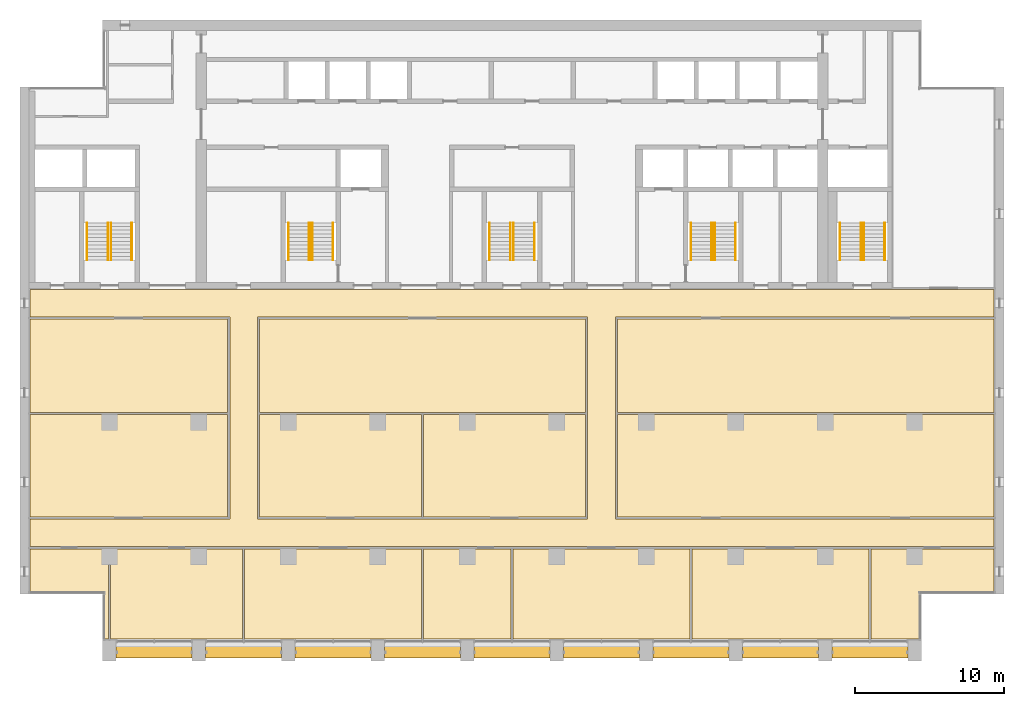
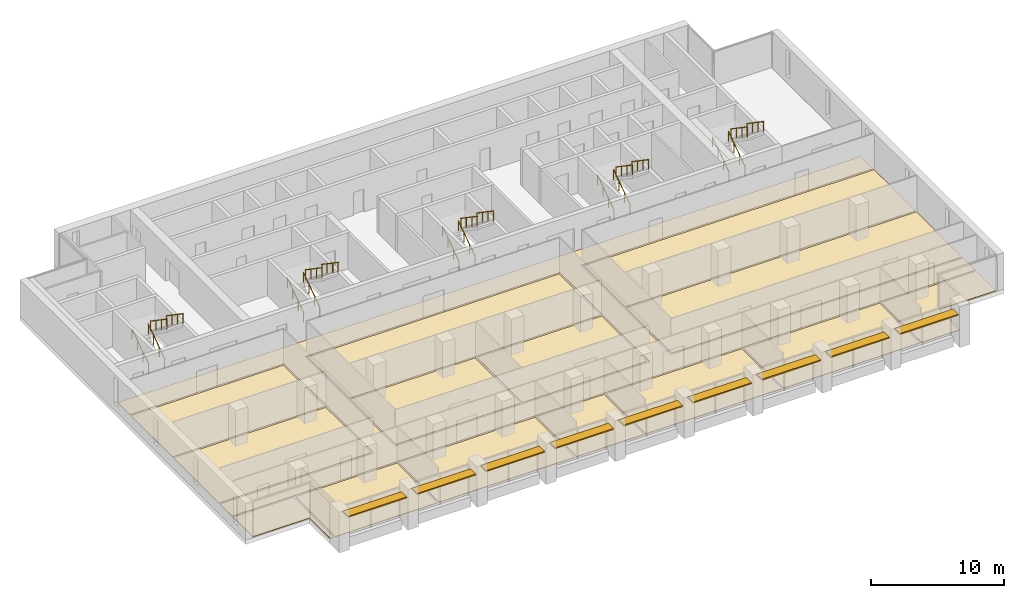
# One storey, part 16 of 17: 20 railings, 15 coverings, 9 shading devices, 5 elements without a shape of their own.
"""IFC4 building model written with IfcOpenShell, lengths in metres."""

from ifc_helpers import new_model, si_unit, direction, frame, origin, origin_2d, place, context, subcontext, project, spatial, polyline, rectangle, circle, outline, extrude, material, layer, layer_set, material_profile, profile_set, type_object, element, aggregate, save


model = new_model("IFC4")

# Units and contexts
model_context = context("Model", 3, precision=1e-05, world=origin(), true_north=direction((0.0, 1.0)))
body_context = subcontext(model_context, "Body", "Model", "MODEL_VIEW")
ifc_project = project(units=[si_unit("LENGTHUNIT", "METRE"), si_unit("AREAUNIT", "SQUARE_METRE"), si_unit("VOLUMEUNIT", "CUBIC_METRE"), si_unit("PLANEANGLEUNIT", "RADIAN"), si_unit("MASSUNIT", "GRAM", prefix="KILO")], contexts=[model_context])

# Site, building, storey
site_placement = place(None, origin())
site = spatial("IfcSite", under=ifc_project, at=site_placement, CompositionType="ELEMENT")
building_placement = place(site_placement, origin())
building = spatial("IfcBuilding", under=site, at=building_placement, Name="Calvaro Tower", CompositionType="ELEMENT")
storey_placement = place(building_placement, frame((0.0, 0.0, 193.0)))
storey = spatial("IfcBuildingStorey", under=building, at=storey_placement, Name="L48", CompositionType="ELEMENT", Elevation=193.0)

# Shading devices
ifc_material_1 = material(Name="Anodised aluminium", Category="aluminium")
ifc_material_profile = material_profile(ifc_material_1, rectangle(XDim=0.800048828125, YDim=0.10009765625, at=origin_2d()), Name="Brise-soleil blade 800 x 100")
ifc_profile_set = profile_set([ifc_material_profile], Name="Anodised aluminium")
shading_device_type = type_object("IfcShadingDeviceType", Name="Brise-soleil blade 800 x 100", PredefinedType="JALOUSIE", material=ifc_profile_set)
for number, where, z_axis, x_axis, name in (
    (1, (12.449951171875, 3.60009765625, 2.5), (1.0, 0.0, 0.0), (0.0, 1.0, 0.0), "Brise-soleil blade 1"),
    (2, (18.449951171875, 3.60009765625, 2.5), (1.0, 0.0, 0.0), (0.0, 1.0, 0.0), "Brise-soleil blade 2"),
    (3, (24.449951171875, 3.60009765625, 2.5), (1.0, 0.0, 0.0), (0.0, 1.0, 0.0), "Brise-soleil blade 3"),
    (4, (30.449951171875, 3.60009765625, 2.5), (1.0, 0.0, 0.0), (0.0, 1.0, 0.0), "Brise-soleil blade 4"),
    (5, (36.449951171875, 3.60009765625, 2.5), (1.0, 0.0, 0.0), (0.0, 1.0, 0.0), "Brise-soleil blade 5"),
    (6, (42.449951171875, 3.60009765625, 2.5), (1.0, 0.0, 0.0), (0.0, 1.0, 0.0), "Brise-soleil blade 6"),
    (7, (48.449951171875, 3.60009765625, 2.5), (1.0, 0.0, 0.0), (0.0, 1.0, 0.0), "Brise-soleil blade 7"),
    (8, (54.449951171875, 3.60009765625, 2.5), (1.0, 0.0, 0.0), (0.0, 1.0, 0.0), "Brise-soleil blade 8"),
    (9, (60.449951171875, 3.60009765625, 2.5), (1.0, 0.0, 0.0), (0.0, 1.0, 0.0), "Brise-soleil blade 9"),
):
    element("IfcShadingDevice", number, at=place(storey_placement, frame(where, z_axis=z_axis, x_axis=x_axis)), inside=storey, type_object=shading_device_type, Name=name, PredefinedType="JALOUSIE", context=body_context, shape_type="SweptSolid", body=[
        extrude(rectangle(XDim=0.800048828125, YDim=0.10009765625, at=origin_2d()), origin(), (0.0, 0.0, 1.0), 5.10009765625),
    ])

# Coverings
ifc_material_2 = material(Name="Cement screed with carpet tile finish")
ifc_layer = layer(ifc_material_2, 0.050048828125)
ifc_layer_set = layer_set([ifc_layer], Name="Cement screed with carpet tile finish")
covering_type = type_object("IfcCoveringType", Name="Floor finish 50", PredefinedType="FLOORING", material=ifc_layer_set)
covering_1_placement = place(storey_placement, origin())
element("IfcCovering", 10, at=covering_1_placement, inside=storey, type_object=covering_type, Name="Floor finish 28.01", PredefinedType="FLOORING", context=body_context, shape_type="SweptSolid", body=[
    extrude(outline(polyline([(6.669921875, 10.669921875), (6.669921875, 12.530029296875), (20.070068359375, 12.530029296875), (20.070068359375, 26.070068359375), (6.669921875, 26.070068359375), (6.669921875, 27.929931640625), (71.330078125, 27.929931640625), (71.330078125, 26.070068359375), (45.929931640625, 26.070068359375), (45.929931640625, 12.530029296875), (71.330078125, 12.530029296875), (71.330078125, 10.669921875), (6.669921875, 10.669921875)]), holes=[polyline([(44.070068359375, 12.530029296875), (44.070068359375, 26.070068359375), (21.929931640625, 26.070068359375), (21.929931640625, 12.530029296875), (44.070068359375, 12.530029296875)])]), origin(), (0.0, 0.0, 1.0), 0.050048828125),
])
covering_2_placement = place(storey_placement, origin())
element("IfcCovering", 11, at=covering_2_placement, inside=storey, type_object=covering_type, Name="Floor finish 28.08", PredefinedType="FLOORING", context=body_context, shape_type="SweptSolid", body=[
    extrude(outline(polyline([(11.929931640625, 10.530029296875), (11.929931640625, 4.469970703125), (11.6201171875, 4.469970703125), (11.6201171875, 7.570068359375), (6.669921875, 7.570068359375), (6.669921875, 10.530029296875), (11.929931640625, 10.530029296875)])), origin(), (0.0, 0.0, 1.0), 0.050048828125),
])
covering_3_placement = place(storey_placement, origin())
element("IfcCovering", 12, at=covering_3_placement, inside=storey, type_object=covering_type, Name="Floor finish 28.02", PredefinedType="FLOORING", context=body_context, shape_type="SweptSolid", body=[
    extrude(outline(polyline([(12.070068359375, 10.530029296875), (20.929931640625, 10.530029296875), (20.929931640625, 4.469970703125), (12.070068359375, 4.469970703125), (12.070068359375, 10.530029296875)])), origin(), (0.0, 0.0, 1.0), 0.050048828125),
])
covering_4_placement = place(storey_placement, origin())
element("IfcCovering", 13, at=covering_4_placement, inside=storey, type_object=covering_type, Name="Floor finish 28.03", PredefinedType="FLOORING", context=body_context, shape_type="SweptSolid", body=[
    extrude(outline(polyline([(21.070068359375, 10.530029296875), (32.929931640625, 10.530029296875), (32.929931640625, 4.469970703125), (21.070068359375, 4.469970703125), (21.070068359375, 10.530029296875)])), origin(), (0.0, 0.0, 1.0), 0.050048828125),
])
covering_5_placement = place(storey_placement, origin())
element("IfcCovering", 14, at=covering_5_placement, inside=storey, type_object=covering_type, Name="Floor finish 28.04", PredefinedType="FLOORING", context=body_context, shape_type="SweptSolid", body=[
    extrude(outline(polyline([(33.070068359375, 10.530029296875), (38.929931640625, 10.530029296875), (38.929931640625, 4.469970703125), (33.070068359375, 4.469970703125), (33.070068359375, 10.530029296875)])), origin(), (0.0, 0.0, 1.0), 0.050048828125),
])
covering_6_placement = place(storey_placement, origin())
element("IfcCovering", 15, at=covering_6_placement, inside=storey, type_object=covering_type, Name="Floor finish 28.05", PredefinedType="FLOORING", context=body_context, shape_type="SweptSolid", body=[
    extrude(outline(polyline([(39.070068359375, 10.530029296875), (50.929931640625, 10.530029296875), (50.929931640625, 4.469970703125), (39.070068359375, 4.469970703125), (39.070068359375, 10.530029296875)])), origin(), (0.0, 0.0, 1.0), 0.050048828125),
])
covering_7_placement = place(storey_placement, origin())
element("IfcCovering", 16, at=covering_7_placement, inside=storey, type_object=covering_type, Name="Floor finish 28.06", PredefinedType="FLOORING", context=body_context, shape_type="SweptSolid", body=[
    extrude(outline(polyline([(51.070068359375, 10.530029296875), (62.929931640625, 10.530029296875), (62.929931640625, 4.469970703125), (51.070068359375, 4.469970703125), (51.070068359375, 10.530029296875)])), origin(), (0.0, 0.0, 1.0), 0.050048828125),
])
covering_8_placement = place(storey_placement, origin())
element("IfcCovering", 17, at=covering_8_placement, inside=storey, type_object=covering_type, Name="Floor finish 28.07", PredefinedType="FLOORING", context=body_context, shape_type="SweptSolid", body=[
    extrude(outline(polyline([(71.330078125, 7.570068359375), (66.3798828125, 7.570068359375), (66.3798828125, 4.469970703125), (63.070068359375, 4.469970703125), (63.070068359375, 10.530029296875), (71.330078125, 10.530029296875), (71.330078125, 7.570068359375)])), origin(), (0.0, 0.0, 1.0), 0.050048828125),
])
covering_9_placement = place(storey_placement, origin())
element("IfcCovering", 18, at=covering_9_placement, inside=storey, type_object=covering_type, Name="Floor finish 28.09", PredefinedType="FLOORING", context=body_context, shape_type="SweptSolid", body=[
    extrude(outline(polyline([(19.929931640625, 19.530029296875), (19.929931640625, 12.669921875), (6.669921875, 12.669921875), (6.669921875, 19.530029296875), (19.929931640625, 19.530029296875)])), origin(), (0.0, 0.0, 1.0), 0.050048828125),
])
covering_10_placement = place(storey_placement, origin())
element("IfcCovering", 19, at=covering_10_placement, inside=storey, type_object=covering_type, Name="Floor finish 28.13", PredefinedType="FLOORING", context=body_context, shape_type="SweptSolid", body=[
    extrude(outline(polyline([(19.929931640625, 25.929931640625), (19.929931640625, 19.669921875), (6.669921875, 19.669921875), (6.669921875, 25.929931640625), (19.929931640625, 25.929931640625)])), origin(), (0.0, 0.0, 1.0), 0.050048828125),
])
covering_11_placement = place(storey_placement, origin())
element("IfcCovering", 20, at=covering_11_placement, inside=storey, type_object=covering_type, Name="Floor finish 28.10", PredefinedType="FLOORING", context=body_context, shape_type="SweptSolid", body=[
    extrude(outline(polyline([(22.070068359375, 12.669921875), (22.070068359375, 19.530029296875), (32.929931640625, 19.530029296875), (32.929931640625, 12.669921875), (22.070068359375, 12.669921875)])), origin(), (0.0, 0.0, 1.0), 0.050048828125),
])
covering_12_placement = place(storey_placement, origin())
element("IfcCovering", 21, at=covering_12_placement, inside=storey, type_object=covering_type, Name="Floor finish 28.11", PredefinedType="FLOORING", context=body_context, shape_type="SweptSolid", body=[
    extrude(outline(polyline([(33.070068359375, 12.669921875), (33.070068359375, 19.530029296875), (43.929931640625, 19.530029296875), (43.929931640625, 12.669921875), (33.070068359375, 12.669921875)])), origin(), (0.0, 0.0, 1.0), 0.050048828125),
])
covering_13_placement = place(storey_placement, origin())
element("IfcCovering", 22, at=covering_13_placement, inside=storey, type_object=covering_type, Name="Floor finish 28.14", PredefinedType="FLOORING", context=body_context, shape_type="SweptSolid", body=[
    extrude(outline(polyline([(22.070068359375, 19.669921875), (22.070068359375, 25.929931640625), (43.929931640625, 25.929931640625), (43.929931640625, 19.669921875), (22.070068359375, 19.669921875)])), origin(), (0.0, 0.0, 1.0), 0.050048828125),
])
covering_14_placement = place(storey_placement, origin())
element("IfcCovering", 23, at=covering_14_placement, inside=storey, type_object=covering_type, Name="Floor finish 28.12", PredefinedType="FLOORING", context=body_context, shape_type="SweptSolid", body=[
    extrude(outline(polyline([(71.330078125, 12.669921875), (46.070068359375, 12.669921875), (46.070068359375, 19.530029296875), (71.330078125, 19.530029296875), (71.330078125, 12.669921875)])), origin(), (0.0, 0.0, 1.0), 0.050048828125),
])
covering_15_placement = place(storey_placement, origin())
element("IfcCovering", 24, at=covering_15_placement, inside=storey, type_object=covering_type, Name="Floor finish 28.15", PredefinedType="FLOORING", context=body_context, shape_type="SweptSolid", body=[
    extrude(outline(polyline([(71.330078125, 19.669921875), (46.070068359375, 19.669921875), (46.070068359375, 25.929931640625), (71.330078125, 25.929931640625), (71.330078125, 19.669921875)])), origin(), (0.0, 0.0, 1.0), 0.050048828125),
])

# Stair, railings
ifc_material_3 = material(Name="Concrete C40/50", Category="concrete")
stair_type = type_object("IfcStairType", Name="Exit stair 1400 2 flights", PredefinedType="HALF_TURN_STAIR", material=ifc_material_3)
stair_1_placement = place(storey_placement, origin())
stair_1 = element("IfcStair", 25, at=stair_1_placement, inside=storey, type_object=stair_type, Name="Exit stair S1", PredefinedType="HALF_TURN_STAIR")
ifc_material_4 = material(Name="Stainless steel", Category="steel")
railing_type = type_object("IfcRailingType", Name="Stair handrail", PredefinedType="HANDRAIL", material=ifc_material_4)
railing_1_placement = place(storey_placement, frame((11.89990234375, 29.89990234375, 0.17041015625)))
railing_1 = element("IfcRailing", 26, at=railing_1_placement, type_object=railing_type, Name="Exit stair 1 handrail", PredefinedType="HANDRAIL", context=body_context, shape_type="SweptSolid", body=[
    extrude(circle(Radius=0.02392578125, at=origin_2d()), frame((0.0, 0.0, 0.8759765625), z_axis=(0.0, 0.826220514629, 0.563346839174), x_axis=(-1.0, 0.0, 0.0)), (0.0, 0.0, 1.0), 3.02587890625),
    extrude(circle(Radius=0.02099609375, at=origin_2d()), frame((0.0, 0.017333984375, 0.01171875)), (0.0, 0.0, 1.0), 0.851806640625),
    extrude(circle(Radius=0.02099609375, at=origin_2d()), frame((0.0, 0.833251953125, 0.568115234375)), (0.0, 0.0, 1.0), 0.851806640625),
    extrude(circle(Radius=0.02099609375, at=origin_2d()), frame((0.0, 1.666748046875, 1.136474609375)), (0.0, 0.0, 1.0), 0.851806640625),
    extrude(circle(Radius=0.02099609375, at=origin_2d()), frame((0.0, 2.482666015625, 1.69287109375)), (0.0, 0.0, 1.0), 0.851806640625),
])
railing_2_placement = place(storey_placement, frame((10.5, 29.89990234375, 0.17041015625)))
railing_2 = element("IfcRailing", 27, at=railing_2_placement, type_object=railing_type, Name="Exit stair 1 handrail", PredefinedType="HANDRAIL", context=body_context, shape_type="SweptSolid", body=[
    extrude(circle(Radius=0.02392578125, at=origin_2d()), frame((0.0, 0.0, 0.8759765625), z_axis=(0.0, 0.826220514629, 0.563346839174), x_axis=(-1.0, 0.0, 0.0)), (0.0, 0.0, 1.0), 3.02587890625),
    extrude(circle(Radius=0.02099609375, at=origin_2d()), frame((0.0, 0.017333984375, 0.01171875)), (0.0, 0.0, 1.0), 0.851806640625),
    extrude(circle(Radius=0.02099609375, at=origin_2d()), frame((0.0, 0.833251953125, 0.568115234375)), (0.0, 0.0, 1.0), 0.851806640625),
    extrude(circle(Radius=0.02099609375, at=origin_2d()), frame((0.0, 1.666748046875, 1.136474609375)), (0.0, 0.0, 1.0), 0.851806640625),
    extrude(circle(Radius=0.02099609375, at=origin_2d()), frame((0.0, 2.482666015625, 1.69287109375)), (0.0, 0.0, 1.0), 0.851806640625),
])
railing_3_placement = place(storey_placement, frame((12.10009765625, 32.39990234375, 2.04541015625)))
railing_3 = element("IfcRailing", 28, at=railing_3_placement, type_object=railing_type, Name="Exit stair 1 handrail", PredefinedType="HANDRAIL", context=body_context, shape_type="SweptSolid", body=[
    extrude(circle(Radius=0.02392578125, at=origin_2d()), frame((0.0, 0.0, 0.8759765625), z_axis=(0.0, -0.826220514629, 0.563346839174), x_axis=(1.0, 0.0, 0.0)), (0.0, 0.0, 1.0), 3.02587890625),
    extrude(circle(Radius=0.02099609375, at=origin_2d()), frame((0.0, -0.017333984375, 0.01171875)), (0.0, 0.0, 1.0), 0.851806640625),
    extrude(circle(Radius=0.02099609375, at=origin_2d()), frame((0.0, -0.833251953125, 0.568115234375)), (0.0, 0.0, 1.0), 0.851806640625),
    extrude(circle(Radius=0.02099609375, at=origin_2d()), frame((0.0, -1.666748046875, 1.136474609375)), (0.0, 0.0, 1.0), 0.851806640625),
    extrude(circle(Radius=0.02099609375, at=origin_2d()), frame((0.0, -2.482666015625, 1.69287109375)), (0.0, 0.0, 1.0), 0.851806640625),
])
railing_4_placement = place(storey_placement, frame((13.5, 32.39990234375, 2.04541015625)))
railing_4 = element("IfcRailing", 29, at=railing_4_placement, type_object=railing_type, Name="Exit stair 1 handrail", PredefinedType="HANDRAIL", context=body_context, shape_type="SweptSolid", body=[
    extrude(circle(Radius=0.02392578125, at=origin_2d()), frame((0.0, 0.0, 0.8759765625), z_axis=(0.0, -0.826220514629, 0.563346839174), x_axis=(1.0, 0.0, 0.0)), (0.0, 0.0, 1.0), 3.02587890625),
    extrude(circle(Radius=0.02099609375, at=origin_2d()), frame((0.0, -0.017333984375, 0.01171875)), (0.0, 0.0, 1.0), 0.851806640625),
    extrude(circle(Radius=0.02099609375, at=origin_2d()), frame((0.0, -0.833251953125, 0.568115234375)), (0.0, 0.0, 1.0), 0.851806640625),
    extrude(circle(Radius=0.02099609375, at=origin_2d()), frame((0.0, -1.666748046875, 1.136474609375)), (0.0, 0.0, 1.0), 0.851806640625),
    extrude(circle(Radius=0.02099609375, at=origin_2d()), frame((0.0, -2.482666015625, 1.69287109375)), (0.0, 0.0, 1.0), 0.851806640625),
])
aggregate(stair_1, [railing_1, railing_2, railing_3, railing_4])

stair_2_placement = place(storey_placement, origin())
stair_2 = element("IfcStair", 30, at=stair_2_placement, inside=storey, type_object=stair_type, Name="Exit stair S2", PredefinedType="HALF_TURN_STAIR")
railing_5_placement = place(storey_placement, frame((25.39990234375, 29.89990234375, 0.17041015625)))
railing_5 = element("IfcRailing", 31, at=railing_5_placement, type_object=railing_type, Name="Exit stair 2 handrail", PredefinedType="HANDRAIL", context=body_context, shape_type="SweptSolid", body=[
    extrude(circle(Radius=0.02392578125, at=origin_2d()), frame((0.0, 0.0, 0.8759765625), z_axis=(0.0, 0.826220514629, 0.563346839174), x_axis=(-1.0, 0.0, 0.0)), (0.0, 0.0, 1.0), 3.02587890625),
    extrude(circle(Radius=0.02099609375, at=origin_2d()), frame((0.0, 0.017333984375, 0.01171875)), (0.0, 0.0, 1.0), 0.851806640625),
    extrude(circle(Radius=0.02099609375, at=origin_2d()), frame((0.0, 0.833251953125, 0.568115234375)), (0.0, 0.0, 1.0), 0.851806640625),
    extrude(circle(Radius=0.02099609375, at=origin_2d()), frame((0.0, 1.666748046875, 1.136474609375)), (0.0, 0.0, 1.0), 0.851806640625),
    extrude(circle(Radius=0.02099609375, at=origin_2d()), frame((0.0, 2.482666015625, 1.69287109375)), (0.0, 0.0, 1.0), 0.851806640625),
])
railing_6_placement = place(storey_placement, frame((24.0, 29.89990234375, 0.17041015625)))
railing_6 = element("IfcRailing", 32, at=railing_6_placement, type_object=railing_type, Name="Exit stair 2 handrail", PredefinedType="HANDRAIL", context=body_context, shape_type="SweptSolid", body=[
    extrude(circle(Radius=0.02392578125, at=origin_2d()), frame((0.0, 0.0, 0.8759765625), z_axis=(0.0, 0.826220514629, 0.563346839174), x_axis=(-1.0, 0.0, 0.0)), (0.0, 0.0, 1.0), 3.02587890625),
    extrude(circle(Radius=0.02099609375, at=origin_2d()), frame((0.0, 0.017333984375, 0.01171875)), (0.0, 0.0, 1.0), 0.851806640625),
    extrude(circle(Radius=0.02099609375, at=origin_2d()), frame((0.0, 0.833251953125, 0.568115234375)), (0.0, 0.0, 1.0), 0.851806640625),
    extrude(circle(Radius=0.02099609375, at=origin_2d()), frame((0.0, 1.666748046875, 1.136474609375)), (0.0, 0.0, 1.0), 0.851806640625),
    extrude(circle(Radius=0.02099609375, at=origin_2d()), frame((0.0, 2.482666015625, 1.69287109375)), (0.0, 0.0, 1.0), 0.851806640625),
])
railing_7_placement = place(storey_placement, frame((25.60009765625, 32.39990234375, 2.04541015625)))
railing_7 = element("IfcRailing", 33, at=railing_7_placement, type_object=railing_type, Name="Exit stair 2 handrail", PredefinedType="HANDRAIL", context=body_context, shape_type="SweptSolid", body=[
    extrude(circle(Radius=0.02392578125, at=origin_2d()), frame((0.0, 0.0, 0.8759765625), z_axis=(0.0, -0.826220514629, 0.563346839174), x_axis=(1.0, 0.0, 0.0)), (0.0, 0.0, 1.0), 3.02587890625),
    extrude(circle(Radius=0.02099609375, at=origin_2d()), frame((0.0, -0.017333984375, 0.01171875)), (0.0, 0.0, 1.0), 0.851806640625),
    extrude(circle(Radius=0.02099609375, at=origin_2d()), frame((0.0, -0.833251953125, 0.568115234375)), (0.0, 0.0, 1.0), 0.851806640625),
    extrude(circle(Radius=0.02099609375, at=origin_2d()), frame((0.0, -1.666748046875, 1.136474609375)), (0.0, 0.0, 1.0), 0.851806640625),
    extrude(circle(Radius=0.02099609375, at=origin_2d()), frame((0.0, -2.482666015625, 1.69287109375)), (0.0, 0.0, 1.0), 0.851806640625),
])
railing_8_placement = place(storey_placement, frame((27.0, 32.39990234375, 2.04541015625)))
railing_8 = element("IfcRailing", 34, at=railing_8_placement, type_object=railing_type, Name="Exit stair 2 handrail", PredefinedType="HANDRAIL", context=body_context, shape_type="SweptSolid", body=[
    extrude(circle(Radius=0.02392578125, at=origin_2d()), frame((0.0, 0.0, 0.8759765625), z_axis=(0.0, -0.826220514629, 0.563346839174), x_axis=(1.0, 0.0, 0.0)), (0.0, 0.0, 1.0), 3.02587890625),
    extrude(circle(Radius=0.02099609375, at=origin_2d()), frame((0.0, -0.017333984375, 0.01171875)), (0.0, 0.0, 1.0), 0.851806640625),
    extrude(circle(Radius=0.02099609375, at=origin_2d()), frame((0.0, -0.833251953125, 0.568115234375)), (0.0, 0.0, 1.0), 0.851806640625),
    extrude(circle(Radius=0.02099609375, at=origin_2d()), frame((0.0, -1.666748046875, 1.136474609375)), (0.0, 0.0, 1.0), 0.851806640625),
    extrude(circle(Radius=0.02099609375, at=origin_2d()), frame((0.0, -2.482666015625, 1.69287109375)), (0.0, 0.0, 1.0), 0.851806640625),
])
aggregate(stair_2, [railing_5, railing_6, railing_7, railing_8])

stair_3_placement = place(storey_placement, origin())
stair_3 = element("IfcStair", 35, at=stair_3_placement, inside=storey, type_object=stair_type, Name="Exit stair S3", PredefinedType="HALF_TURN_STAIR")
railing_9_placement = place(storey_placement, frame((38.89990234375, 29.89990234375, 0.17041015625)))
railing_9 = element("IfcRailing", 36, at=railing_9_placement, type_object=railing_type, Name="Exit stair 3 handrail", PredefinedType="HANDRAIL", context=body_context, shape_type="SweptSolid", body=[
    extrude(circle(Radius=0.02392578125, at=origin_2d()), frame((0.0, 0.0, 0.8759765625), z_axis=(0.0, 0.826220514629, 0.563346839174), x_axis=(-1.0, 0.0, 0.0)), (0.0, 0.0, 1.0), 3.02587890625),
    extrude(circle(Radius=0.02099609375, at=origin_2d()), frame((0.0, 0.017333984375, 0.01171875)), (0.0, 0.0, 1.0), 0.851806640625),
    extrude(circle(Radius=0.02099609375, at=origin_2d()), frame((0.0, 0.833251953125, 0.568115234375)), (0.0, 0.0, 1.0), 0.851806640625),
    extrude(circle(Radius=0.02099609375, at=origin_2d()), frame((0.0, 1.666748046875, 1.136474609375)), (0.0, 0.0, 1.0), 0.851806640625),
    extrude(circle(Radius=0.02099609375, at=origin_2d()), frame((0.0, 2.482666015625, 1.69287109375)), (0.0, 0.0, 1.0), 0.851806640625),
])
railing_10_placement = place(storey_placement, frame((37.5, 29.89990234375, 0.17041015625)))
railing_10 = element("IfcRailing", 37, at=railing_10_placement, type_object=railing_type, Name="Exit stair 3 handrail", PredefinedType="HANDRAIL", context=body_context, shape_type="SweptSolid", body=[
    extrude(circle(Radius=0.02392578125, at=origin_2d()), frame((0.0, 0.0, 0.8759765625), z_axis=(0.0, 0.826220514629, 0.563346839174), x_axis=(-1.0, 0.0, 0.0)), (0.0, 0.0, 1.0), 3.02587890625),
    extrude(circle(Radius=0.02099609375, at=origin_2d()), frame((0.0, 0.017333984375, 0.01171875)), (0.0, 0.0, 1.0), 0.851806640625),
    extrude(circle(Radius=0.02099609375, at=origin_2d()), frame((0.0, 0.833251953125, 0.568115234375)), (0.0, 0.0, 1.0), 0.851806640625),
    extrude(circle(Radius=0.02099609375, at=origin_2d()), frame((0.0, 1.666748046875, 1.136474609375)), (0.0, 0.0, 1.0), 0.851806640625),
    extrude(circle(Radius=0.02099609375, at=origin_2d()), frame((0.0, 2.482666015625, 1.69287109375)), (0.0, 0.0, 1.0), 0.851806640625),
])
railing_11_placement = place(storey_placement, frame((39.10009765625, 32.39990234375, 2.04541015625)))
railing_11 = element("IfcRailing", 38, at=railing_11_placement, type_object=railing_type, Name="Exit stair 3 handrail", PredefinedType="HANDRAIL", context=body_context, shape_type="SweptSolid", body=[
    extrude(circle(Radius=0.02392578125, at=origin_2d()), frame((0.0, 0.0, 0.8759765625), z_axis=(0.0, -0.826220514629, 0.563346839174), x_axis=(1.0, 0.0, 0.0)), (0.0, 0.0, 1.0), 3.02587890625),
    extrude(circle(Radius=0.02099609375, at=origin_2d()), frame((0.0, -0.017333984375, 0.01171875)), (0.0, 0.0, 1.0), 0.851806640625),
    extrude(circle(Radius=0.02099609375, at=origin_2d()), frame((0.0, -0.833251953125, 0.568115234375)), (0.0, 0.0, 1.0), 0.851806640625),
    extrude(circle(Radius=0.02099609375, at=origin_2d()), frame((0.0, -1.666748046875, 1.136474609375)), (0.0, 0.0, 1.0), 0.851806640625),
    extrude(circle(Radius=0.02099609375, at=origin_2d()), frame((0.0, -2.482666015625, 1.69287109375)), (0.0, 0.0, 1.0), 0.851806640625),
])
railing_12_placement = place(storey_placement, frame((40.5, 32.39990234375, 2.04541015625)))
railing_12 = element("IfcRailing", 39, at=railing_12_placement, type_object=railing_type, Name="Exit stair 3 handrail", PredefinedType="HANDRAIL", context=body_context, shape_type="SweptSolid", body=[
    extrude(circle(Radius=0.02392578125, at=origin_2d()), frame((0.0, 0.0, 0.8759765625), z_axis=(0.0, -0.826220514629, 0.563346839174), x_axis=(1.0, 0.0, 0.0)), (0.0, 0.0, 1.0), 3.02587890625),
    extrude(circle(Radius=0.02099609375, at=origin_2d()), frame((0.0, -0.017333984375, 0.01171875)), (0.0, 0.0, 1.0), 0.851806640625),
    extrude(circle(Radius=0.02099609375, at=origin_2d()), frame((0.0, -0.833251953125, 0.568115234375)), (0.0, 0.0, 1.0), 0.851806640625),
    extrude(circle(Radius=0.02099609375, at=origin_2d()), frame((0.0, -1.666748046875, 1.136474609375)), (0.0, 0.0, 1.0), 0.851806640625),
    extrude(circle(Radius=0.02099609375, at=origin_2d()), frame((0.0, -2.482666015625, 1.69287109375)), (0.0, 0.0, 1.0), 0.851806640625),
])
aggregate(stair_3, [railing_9, railing_10, railing_11, railing_12])

stair_4_placement = place(storey_placement, origin())
stair_4 = element("IfcStair", 40, at=stair_4_placement, inside=storey, type_object=stair_type, Name="Exit stair S4", PredefinedType="HALF_TURN_STAIR")
railing_13_placement = place(storey_placement, frame((52.39990234375, 29.89990234375, 0.17041015625)))
railing_13 = element("IfcRailing", 41, at=railing_13_placement, type_object=railing_type, Name="Exit stair 4 handrail", PredefinedType="HANDRAIL", context=body_context, shape_type="SweptSolid", body=[
    extrude(circle(Radius=0.02392578125, at=origin_2d()), frame((0.0, 0.0, 0.8759765625), z_axis=(0.0, 0.826220514629, 0.563346839174), x_axis=(-1.0, 0.0, 0.0)), (0.0, 0.0, 1.0), 3.02587890625),
    extrude(circle(Radius=0.02099609375, at=origin_2d()), frame((0.0, 0.017333984375, 0.01171875)), (0.0, 0.0, 1.0), 0.851806640625),
    extrude(circle(Radius=0.02099609375, at=origin_2d()), frame((0.0, 0.833251953125, 0.568115234375)), (0.0, 0.0, 1.0), 0.851806640625),
    extrude(circle(Radius=0.02099609375, at=origin_2d()), frame((0.0, 1.666748046875, 1.136474609375)), (0.0, 0.0, 1.0), 0.851806640625),
    extrude(circle(Radius=0.02099609375, at=origin_2d()), frame((0.0, 2.482666015625, 1.69287109375)), (0.0, 0.0, 1.0), 0.851806640625),
])
railing_14_placement = place(storey_placement, frame((51.0, 29.89990234375, 0.17041015625)))
railing_14 = element("IfcRailing", 42, at=railing_14_placement, type_object=railing_type, Name="Exit stair 4 handrail", PredefinedType="HANDRAIL", context=body_context, shape_type="SweptSolid", body=[
    extrude(circle(Radius=0.02392578125, at=origin_2d()), frame((0.0, 0.0, 0.8759765625), z_axis=(0.0, 0.826220514629, 0.563346839174), x_axis=(-1.0, 0.0, 0.0)), (0.0, 0.0, 1.0), 3.02587890625),
    extrude(circle(Radius=0.02099609375, at=origin_2d()), frame((0.0, 0.017333984375, 0.01171875)), (0.0, 0.0, 1.0), 0.851806640625),
    extrude(circle(Radius=0.02099609375, at=origin_2d()), frame((0.0, 0.833251953125, 0.568115234375)), (0.0, 0.0, 1.0), 0.851806640625),
    extrude(circle(Radius=0.02099609375, at=origin_2d()), frame((0.0, 1.666748046875, 1.136474609375)), (0.0, 0.0, 1.0), 0.851806640625),
    extrude(circle(Radius=0.02099609375, at=origin_2d()), frame((0.0, 2.482666015625, 1.69287109375)), (0.0, 0.0, 1.0), 0.851806640625),
])
railing_15_placement = place(storey_placement, frame((52.60009765625, 32.39990234375, 2.04541015625)))
railing_15 = element("IfcRailing", 43, at=railing_15_placement, type_object=railing_type, Name="Exit stair 4 handrail", PredefinedType="HANDRAIL", context=body_context, shape_type="SweptSolid", body=[
    extrude(circle(Radius=0.02392578125, at=origin_2d()), frame((0.0, 0.0, 0.8759765625), z_axis=(0.0, -0.826220514629, 0.563346839174), x_axis=(1.0, 0.0, 0.0)), (0.0, 0.0, 1.0), 3.02587890625),
    extrude(circle(Radius=0.02099609375, at=origin_2d()), frame((0.0, -0.017333984375, 0.01171875)), (0.0, 0.0, 1.0), 0.851806640625),
    extrude(circle(Radius=0.02099609375, at=origin_2d()), frame((0.0, -0.833251953125, 0.568115234375)), (0.0, 0.0, 1.0), 0.851806640625),
    extrude(circle(Radius=0.02099609375, at=origin_2d()), frame((0.0, -1.666748046875, 1.136474609375)), (0.0, 0.0, 1.0), 0.851806640625),
    extrude(circle(Radius=0.02099609375, at=origin_2d()), frame((0.0, -2.482666015625, 1.69287109375)), (0.0, 0.0, 1.0), 0.851806640625),
])
railing_16_placement = place(storey_placement, frame((54.0, 32.39990234375, 2.04541015625)))
railing_16 = element("IfcRailing", 44, at=railing_16_placement, type_object=railing_type, Name="Exit stair 4 handrail", PredefinedType="HANDRAIL", context=body_context, shape_type="SweptSolid", body=[
    extrude(circle(Radius=0.02392578125, at=origin_2d()), frame((0.0, 0.0, 0.8759765625), z_axis=(0.0, -0.826220514629, 0.563346839174), x_axis=(1.0, 0.0, 0.0)), (0.0, 0.0, 1.0), 3.02587890625),
    extrude(circle(Radius=0.02099609375, at=origin_2d()), frame((0.0, -0.017333984375, 0.01171875)), (0.0, 0.0, 1.0), 0.851806640625),
    extrude(circle(Radius=0.02099609375, at=origin_2d()), frame((0.0, -0.833251953125, 0.568115234375)), (0.0, 0.0, 1.0), 0.851806640625),
    extrude(circle(Radius=0.02099609375, at=origin_2d()), frame((0.0, -1.666748046875, 1.136474609375)), (0.0, 0.0, 1.0), 0.851806640625),
    extrude(circle(Radius=0.02099609375, at=origin_2d()), frame((0.0, -2.482666015625, 1.69287109375)), (0.0, 0.0, 1.0), 0.851806640625),
])
aggregate(stair_4, [railing_13, railing_14, railing_15, railing_16])

stair_5_placement = place(storey_placement, origin())
stair_5 = element("IfcStair", 45, at=stair_5_placement, inside=storey, type_object=stair_type, Name="Exit stair S5", PredefinedType="HALF_TURN_STAIR")
railing_17_placement = place(storey_placement, frame((62.39990234375, 29.89990234375, 0.17041015625)))
railing_17 = element("IfcRailing", 46, at=railing_17_placement, type_object=railing_type, Name="Exit stair 5 handrail", PredefinedType="HANDRAIL", context=body_context, shape_type="SweptSolid", body=[
    extrude(circle(Radius=0.02392578125, at=origin_2d()), frame((0.0, 0.0, 0.8759765625), z_axis=(0.0, 0.826220514629, 0.563346839174), x_axis=(-1.0, 0.0, 0.0)), (0.0, 0.0, 1.0), 3.02587890625),
    extrude(circle(Radius=0.02099609375, at=origin_2d()), frame((0.0, 0.017333984375, 0.01171875)), (0.0, 0.0, 1.0), 0.851806640625),
    extrude(circle(Radius=0.02099609375, at=origin_2d()), frame((0.0, 0.833251953125, 0.568115234375)), (0.0, 0.0, 1.0), 0.851806640625),
    extrude(circle(Radius=0.02099609375, at=origin_2d()), frame((0.0, 1.666748046875, 1.136474609375)), (0.0, 0.0, 1.0), 0.851806640625),
    extrude(circle(Radius=0.02099609375, at=origin_2d()), frame((0.0, 2.482666015625, 1.69287109375)), (0.0, 0.0, 1.0), 0.851806640625),
])
railing_18_placement = place(storey_placement, frame((61.0, 29.89990234375, 0.17041015625)))
railing_18 = element("IfcRailing", 47, at=railing_18_placement, type_object=railing_type, Name="Exit stair 5 handrail", PredefinedType="HANDRAIL", context=body_context, shape_type="SweptSolid", body=[
    extrude(circle(Radius=0.02392578125, at=origin_2d()), frame((0.0, 0.0, 0.8759765625), z_axis=(0.0, 0.826220514629, 0.563346839174), x_axis=(-1.0, 0.0, 0.0)), (0.0, 0.0, 1.0), 3.02587890625),
    extrude(circle(Radius=0.02099609375, at=origin_2d()), frame((0.0, 0.017333984375, 0.01171875)), (0.0, 0.0, 1.0), 0.851806640625),
    extrude(circle(Radius=0.02099609375, at=origin_2d()), frame((0.0, 0.833251953125, 0.568115234375)), (0.0, 0.0, 1.0), 0.851806640625),
    extrude(circle(Radius=0.02099609375, at=origin_2d()), frame((0.0, 1.666748046875, 1.136474609375)), (0.0, 0.0, 1.0), 0.851806640625),
    extrude(circle(Radius=0.02099609375, at=origin_2d()), frame((0.0, 2.482666015625, 1.69287109375)), (0.0, 0.0, 1.0), 0.851806640625),
])
railing_19_placement = place(storey_placement, frame((62.60009765625, 32.39990234375, 2.04541015625)))
railing_19 = element("IfcRailing", 48, at=railing_19_placement, type_object=railing_type, Name="Exit stair 5 handrail", PredefinedType="HANDRAIL", context=body_context, shape_type="SweptSolid", body=[
    extrude(circle(Radius=0.02392578125, at=origin_2d()), frame((0.0, 0.0, 0.8759765625), z_axis=(0.0, -0.826220514629, 0.563346839174), x_axis=(1.0, 0.0, 0.0)), (0.0, 0.0, 1.0), 3.02587890625),
    extrude(circle(Radius=0.02099609375, at=origin_2d()), frame((0.0, -0.017333984375, 0.01171875)), (0.0, 0.0, 1.0), 0.851806640625),
    extrude(circle(Radius=0.02099609375, at=origin_2d()), frame((0.0, -0.833251953125, 0.568115234375)), (0.0, 0.0, 1.0), 0.851806640625),
    extrude(circle(Radius=0.02099609375, at=origin_2d()), frame((0.0, -1.666748046875, 1.136474609375)), (0.0, 0.0, 1.0), 0.851806640625),
    extrude(circle(Radius=0.02099609375, at=origin_2d()), frame((0.0, -2.482666015625, 1.69287109375)), (0.0, 0.0, 1.0), 0.851806640625),
])
railing_20_placement = place(storey_placement, frame((64.0, 32.39990234375, 2.04541015625)))
railing_20 = element("IfcRailing", 49, at=railing_20_placement, type_object=railing_type, Name="Exit stair 5 handrail", PredefinedType="HANDRAIL", context=body_context, shape_type="SweptSolid", body=[
    extrude(circle(Radius=0.02392578125, at=origin_2d()), frame((0.0, 0.0, 0.8759765625), z_axis=(0.0, -0.826220514629, 0.563346839174), x_axis=(1.0, 0.0, 0.0)), (0.0, 0.0, 1.0), 3.02587890625),
    extrude(circle(Radius=0.02099609375, at=origin_2d()), frame((0.0, -0.017333984375, 0.01171875)), (0.0, 0.0, 1.0), 0.851806640625),
    extrude(circle(Radius=0.02099609375, at=origin_2d()), frame((0.0, -0.833251953125, 0.568115234375)), (0.0, 0.0, 1.0), 0.851806640625),
    extrude(circle(Radius=0.02099609375, at=origin_2d()), frame((0.0, -1.666748046875, 1.136474609375)), (0.0, 0.0, 1.0), 0.851806640625),
    extrude(circle(Radius=0.02099609375, at=origin_2d()), frame((0.0, -2.482666015625, 1.69287109375)), (0.0, 0.0, 1.0), 0.851806640625),
])
aggregate(stair_5, [railing_17, railing_18, railing_19, railing_20])

save(model, "model.ifc")
